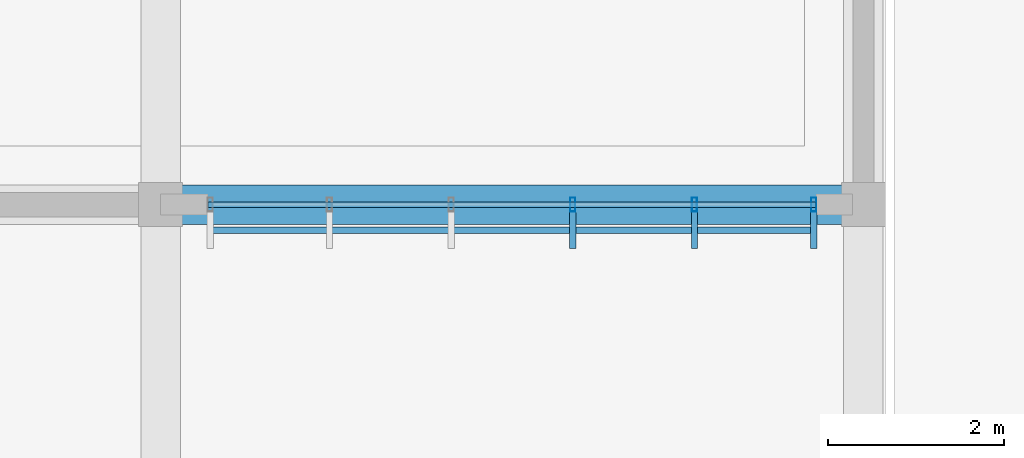
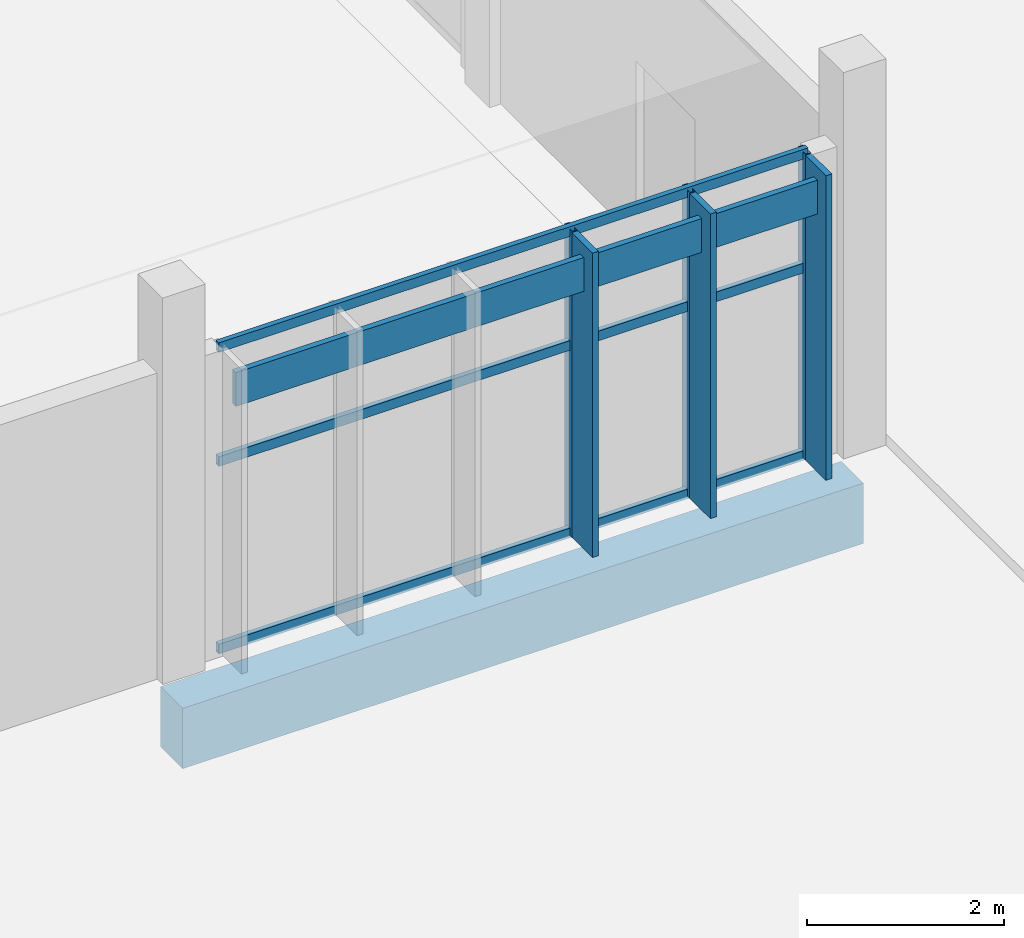
# One storey, part 57 of 151: 10 members, 1 beam, 1 element without a shape of its own.
"""IFC4 building model written with IfcOpenShell, lengths in metres."""

from ifc_helpers import new_model, si_unit, direction, frame, origin, origin_2d, place, context, subcontext, project, spatial, rectangle, hollow_rectangle, extrude, material, material_profile, profile_set, type_object, element, aggregate, save


model = new_model("IFC4")

# Units and contexts
model_context = context("Model", 3, precision=1e-05, world=origin(), true_north=direction((0.0, 1.0)))
body_context = subcontext(model_context, "Body", "Model", "MODEL_VIEW")
ifc_project = project(units=[si_unit("LENGTHUNIT", "METRE"), si_unit("AREAUNIT", "SQUARE_METRE"), si_unit("VOLUMEUNIT", "CUBIC_METRE"), si_unit("PLANEANGLEUNIT", "RADIAN"), si_unit("MASSUNIT", "GRAM", prefix="KILO")], contexts=[model_context])

# Site, building, storey
site_placement = place(None, origin())
site = spatial("IfcSite", under=ifc_project, at=site_placement, CompositionType="ELEMENT")
building_placement = place(site_placement, origin())
building = spatial("IfcBuilding", under=site, at=building_placement, Name="Chiffa Square Polytechnic", CompositionType="ELEMENT")
storey_placement = place(building_placement, origin())
storey = spatial("IfcBuildingStorey", under=building, at=storey_placement, Name="L00", CompositionType="ELEMENT", Elevation=0.0)

# Curtain wall, members
ifc_material_1 = material(Name="Aluminium EN AW-6060 T66 and glulam shading", Category="wood")
curtain_wall_type = type_object("IfcCurtainWallType", Name="CW-VERT-600X440", PredefinedType="USERDEFINED", material=ifc_material_1)
curtain_wall_placement = place(storey_placement, origin())
curtain_wall = element("IfcCurtainWall", 1, at=curtain_wall_placement, inside=storey, type_object=curtain_wall_type, Name="Curtain wall CW-V6-L00-249", ObjectType="CURTAIN WALL", PredefinedType="USERDEFINED")
ifc_material_2 = material(Name="Aluminium EN AW-6060 T66", Category="aluminium")
ifc_material_profile_1 = material_profile(ifc_material_2, hollow_rectangle(XDim=0.06005859375, YDim=0.159912109375, WallThickness=0.00390625, at=origin_2d()), Name="ALU 60x160x4")
ifc_profile_set_1 = profile_set([ifc_material_profile_1], Name="Aluminium EN AW-6060 T66")
member_type_1 = type_object("IfcMemberType", Name="CWM-ALU-65X150", PredefinedType="MULLION", material=ifc_profile_set_1)
member_1_placement = place(storey_placement, frame((44.69189453125, 79.800048828125, 0.0), z_axis=(0.0, 0.0, 1.0), x_axis=(1.0, 0.0, 0.0)))
member_1 = element("IfcMember", 2, at=member_1_placement, type_object=member_type_1, Name="Curtain wall mullion CW-V6-L00-249-M03", PredefinedType="MULLION", context=body_context, shape_type="SweptSolid", body=[
    extrude(hollow_rectangle(XDim=0.06005859375, YDim=0.159912109375, WallThickness=0.00390625, at=origin_2d()), origin(), (0.0, 0.0, 1.0), 3.804931640625),
])
member_2_placement = place(storey_placement, frame((46.075927734375, 79.800048828125, 0.0), z_axis=(0.0, 0.0, 1.0), x_axis=(1.0, 0.0, 0.0)))
member_2 = element("IfcMember", 3, at=member_2_placement, type_object=member_type_1, Name="Curtain wall mullion CW-V6-L00-249-M04", PredefinedType="MULLION", context=body_context, shape_type="SweptSolid", body=[
    extrude(hollow_rectangle(XDim=0.06005859375, YDim=0.159912109375, WallThickness=0.00390625, at=origin_2d()), origin(), (0.0, 0.0, 1.0), 3.804931640625),
])
member_3_placement = place(storey_placement, frame((47.43505859375, 79.800048828125, 0.0), z_axis=(0.0, 0.0, 1.0), x_axis=(1.0, 0.0, 0.0)))
member_3 = element("IfcMember", 4, at=member_3_placement, type_object=member_type_1, Name="Curtain wall mullion CW-V6-L00-249-M05", PredefinedType="MULLION", context=body_context, shape_type="SweptSolid", body=[
    extrude(hollow_rectangle(XDim=0.06005859375, YDim=0.159912109375, WallThickness=0.00390625, at=origin_2d()), origin(), (0.0, 0.0, 1.0), 3.804931640625),
])
ifc_material_3 = material(Name="Glulam GL28h", Category="wood")
ifc_material_profile_2 = material_profile(ifc_material_3, rectangle(XDim=0.070068359375, YDim=0.419921875, at=origin_2d()), Name="GL28h 70x420")
ifc_profile_set_2 = profile_set([ifc_material_profile_2], Name="Glulam GL28h")
member_type_2 = type_object("IfcMemberType", Name="CWM-GL-70X420", PredefinedType="MULLION", material=ifc_profile_set_2)
member_4_placement = place(storey_placement, frame((44.69189453125, 79.508056640625, 0.010009765625), z_axis=(0.0, 0.0, 1.0), x_axis=(1.0, 0.0, 0.0)))
member_4 = element("IfcMember", 5, at=member_4_placement, type_object=member_type_2, Name="Exterior glulam solar fin CW-V6-L00-249-FN03", PredefinedType="MULLION", context=body_context, shape_type="SweptSolid", body=[
    extrude(rectangle(XDim=0.070068359375, YDim=0.419921875, at=origin_2d()), origin(), (0.0, 0.0, 1.0), 3.784912109375),
])
member_5_placement = place(storey_placement, frame((46.075927734375, 79.508056640625, 0.010009765625), z_axis=(0.0, 0.0, 1.0), x_axis=(1.0, 0.0, 0.0)))
member_5 = element("IfcMember", 6, at=member_5_placement, type_object=member_type_2, Name="Exterior glulam solar fin CW-V6-L00-249-FN04", PredefinedType="MULLION", context=body_context, shape_type="SweptSolid", body=[
    extrude(rectangle(XDim=0.070068359375, YDim=0.419921875, at=origin_2d()), origin(), (0.0, 0.0, 1.0), 3.784912109375),
])
member_6_placement = place(storey_placement, frame((47.43505859375, 79.508056640625, 0.010009765625), z_axis=(0.0, 0.0, 1.0), x_axis=(1.0, 0.0, 0.0)))
member_6 = element("IfcMember", 7, at=member_6_placement, type_object=member_type_2, Name="Exterior glulam solar fin CW-V6-L00-249-FN05", PredefinedType="MULLION", context=body_context, shape_type="SweptSolid", body=[
    extrude(rectangle(XDim=0.070068359375, YDim=0.419921875, at=origin_2d()), origin(), (0.0, 0.0, 1.0), 3.784912109375),
])
ifc_material_profile_3 = material_profile(ifc_material_2, hollow_rectangle(XDim=0.06005859375, YDim=0.1201171875, WallThickness=0.00390625, at=origin_2d()), Name="ALU 60x120x4")
ifc_profile_set_3 = profile_set([ifc_material_profile_3], Name="Aluminium EN AW-6060 T66")
member_type_3 = type_object("IfcMemberType", Name="CWT-ALU-65X120", PredefinedType="USERDEFINED", material=ifc_profile_set_3)
member_7_placement = place(storey_placement, frame((40.5380859375, 79.800048828125, 0.030029296875), z_axis=(1.0, 0.0, 0.0), x_axis=(0.0, 1.0, 0.0)))
member_7 = element("IfcMember", 8, at=member_7_placement, type_object=member_type_3, Name="Curtain wall transom CW-V6-L00-249-T01", ObjectType="TRANSOM", PredefinedType="USERDEFINED", context=body_context, shape_type="SweptSolid", body=[
    extrude(hollow_rectangle(XDim=0.06005859375, YDim=0.1201171875, WallThickness=0.00390625, at=origin_2d()), origin(), (0.0, 0.0, 1.0), 6.923828125),
])
member_8_placement = place(storey_placement, frame((40.5380859375, 79.800048828125, 2.35888671875), z_axis=(1.0, 0.0, 0.0), x_axis=(0.0, 1.0, 0.0)))
member_8 = element("IfcMember", 9, at=member_8_placement, type_object=member_type_3, Name="Curtain wall transom CW-V6-L00-249-T02", ObjectType="TRANSOM", PredefinedType="USERDEFINED", context=body_context, shape_type="SweptSolid", body=[
    extrude(hollow_rectangle(XDim=0.06005859375, YDim=0.1201171875, WallThickness=0.00390625, at=origin_2d()), origin(), (0.0, 0.0, 1.0), 6.923828125),
])
member_9_placement = place(storey_placement, frame((40.5380859375, 79.800048828125, 3.77490234375), z_axis=(1.0, 0.0, 0.0), x_axis=(0.0, 1.0, 0.0)))
member_9 = element("IfcMember", 10, at=member_9_placement, type_object=member_type_3, Name="Curtain wall transom CW-V6-L00-249-T03", ObjectType="TRANSOM", PredefinedType="USERDEFINED", context=body_context, shape_type="SweptSolid", body=[
    extrude(hollow_rectangle(XDim=0.06005859375, YDim=0.1201171875, WallThickness=0.00390625, at=origin_2d()), origin(), (0.0, 0.0, 1.0), 6.923828125),
])
ifc_material_profile_4 = material_profile(ifc_material_3, rectangle(XDim=0.070068359375, YDim=0.419921875, at=origin_2d()), Name="GL28h 70x420")
ifc_profile_set_4 = profile_set([ifc_material_profile_4], Name="Glulam GL28h")
member_type_4 = type_object("IfcMemberType", Name="CWT-GL-70X420", PredefinedType="USERDEFINED", material=ifc_profile_set_4)
member_10_placement = place(storey_placement, frame((40.56494140625, 79.508056640625, 3.425048828125), z_axis=(1.0, 0.0, 0.0), x_axis=(0.0, 1.0, 0.0)))
member_10 = element("IfcMember", 11, at=member_10_placement, type_object=member_type_4, Name="Exterior glulam brise-soleil CW-V6-L00-249-BS01", ObjectType="TRANSOM", PredefinedType="USERDEFINED", context=body_context, shape_type="SweptSolid", body=[
    extrude(rectangle(XDim=0.070068359375, YDim=0.419921875, at=origin_2d()), origin(), (0.0, 0.0, 1.0), 6.8701171875),
])
aggregate(curtain_wall, [member_1, member_4, member_2, member_5, member_3, member_6, member_7, member_8, member_9, member_10])

# Beam
ifc_material_4 = material(Name="Concrete C35/45", Category="concrete")
ifc_material_profile_5 = material_profile(ifc_material_4, rectangle(XDim=0.449951171875, YDim=0.75, at=origin_2d()), Name="RC 450x750")
ifc_profile_set_5 = profile_set([ifc_material_profile_5], Name="Concrete C35/45")
beam_type = type_object("IfcBeamType", Name="GB-RC-450X750", PredefinedType="BEAM", material=ifc_profile_set_5)
beam_placement = place(storey_placement, frame((40.0, 79.800048828125, -0.77490234375), z_axis=(1.0, 0.0, 0.0), x_axis=(0.0, 1.0, 0.0)))
element("IfcBeam", 12, at=beam_placement, inside=storey, type_object=beam_type, Name="Ground tie beam GB-V6-X-182", PredefinedType="BEAM", context=body_context, shape_type="SweptSolid", body=[
    extrude(rectangle(XDim=0.449951171875, YDim=0.75, at=origin_2d()), origin(), (0.0, 0.0, 1.0), 8.0),
])

save(model, "model.ifc")
